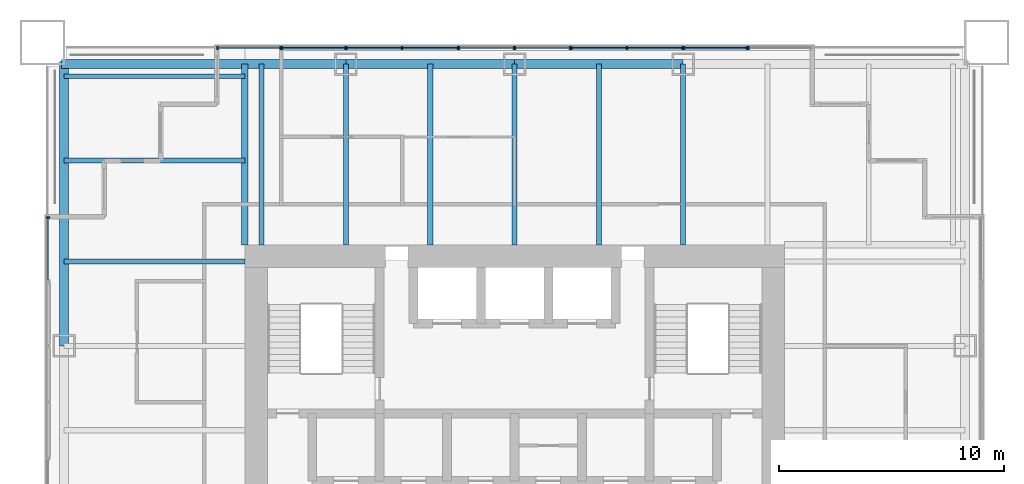
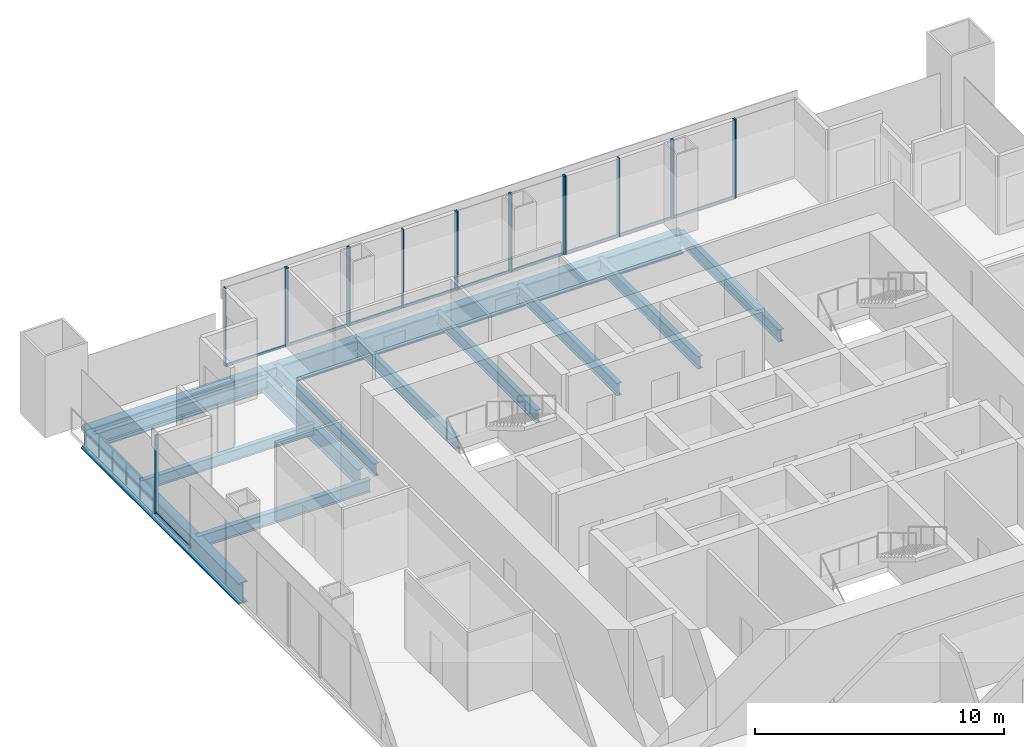
# One storey, part 6 of 14: 28 members, 14 beams, 9 elements without a shape of their own.
"""IFC4 building model written with IfcOpenShell, lengths in metres."""

from ifc_helpers import new_model, si_unit, direction, frame, origin, origin_2d, place, context, subcontext, project, spatial, rectangle, i_section, extrude, material, material_profile, profile_set, type_object, element, aggregate, save


model = new_model("IFC4")

# Units and contexts
model_context = context("Model", 3, precision=1e-05, world=origin(), true_north=direction((0.0, 1.0)))
body_context = subcontext(model_context, "Body", "Model", "MODEL_VIEW")
ifc_project = project(units=[si_unit("LENGTHUNIT", "METRE"), si_unit("AREAUNIT", "SQUARE_METRE"), si_unit("VOLUMEUNIT", "CUBIC_METRE"), si_unit("PLANEANGLEUNIT", "RADIAN"), si_unit("MASSUNIT", "GRAM", prefix="KILO")], contexts=[model_context])

# Site, building, storey
site_placement = place(None, origin())
site = spatial("IfcSite", under=ifc_project, at=site_placement, CompositionType="ELEMENT")
building_placement = place(site_placement, origin())
building = spatial("IfcBuilding", under=site, at=building_placement, Name="Tarangal Relay Tower", CompositionType="ELEMENT")
storey_placement = place(building_placement, frame((0.0, 0.0, 271.89990234375)))
storey = spatial("IfcBuildingStorey", under=building, at=storey_placement, Name="L59", CompositionType="ELEMENT", Elevation=271.89990234375)

# Beams
ifc_material_1 = material(Name="Steel ASTM A992", Category="steel")
ifc_material_profile_1 = material_profile(ifc_material_1, i_section(OverallWidth=0.209228515625, OverallDepth=0.533447265625, WebThickness=0.01025390625, FlangeThickness=0.015625, at=origin_2d()), Name="W21X62")
ifc_profile_set_1 = profile_set([ifc_material_profile_1], Name="Steel ASTM A992")
beam_type_1 = type_object("IfcBeamType", Name="Corner beam W21X62", PredefinedType="JOIST", material=ifc_profile_set_1)
for number, where, z_axis, x_axis, name in (
    (1, (-12.0, 15.75, -0.41650390625), (-1.0, 0.0, 0.0), (0.0, -1.0, 0.0), "Corner beam CB12 W L59"),
    (2, (-12.0, 19.5, -0.41650390625), (-1.0, 0.0, 0.0), (0.0, -1.0, 0.0), "Corner beam CB12 W L59"),
):
    element("IfcBeam", number, at=place(storey_placement, frame(where, z_axis=z_axis, x_axis=x_axis)), inside=storey, type_object=beam_type_1, Name=name, PredefinedType="JOIST", context=body_context, shape_type="SweptSolid", body=[
        extrude(i_section(OverallWidth=0.209228515625, OverallDepth=0.533447265625, WebThickness=0.01025390625, FlangeThickness=0.015625, at=origin_2d()), origin(), (0.0, 0.0, 1.0), 8.0400390625),
    ])
ifc_material_profile_2 = material_profile(ifc_material_1, i_section(OverallWidth=0.2919921875, OverallDepth=0.8408203125, WebThickness=0.0146484375, FlangeThickness=0.021728515625, at=origin_2d()), Name="W33X130")
ifc_profile_set_2 = profile_set([ifc_material_profile_2], Name="Steel ASTM A992")
beam_type_2 = type_object("IfcBeamType", Name="Corner girder W33X130", PredefinedType="BEAM", material=ifc_profile_set_2)
beam_1_placement = place(storey_placement, frame((-12.0, 12.0, -0.5703125), z_axis=(0.0, 1.0, 0.0), x_axis=(-1.0, 0.0, 0.0)))
element("IfcBeam", 3, at=beam_1_placement, inside=storey, type_object=beam_type_2, Name="Corner girder CG5 W L59", PredefinedType="BEAM", context=body_context, shape_type="SweptSolid", body=[
    extrude(i_section(OverallWidth=0.2919921875, OverallDepth=0.8408203125, WebThickness=0.0146484375, FlangeThickness=0.021728515625, at=origin_2d()), origin(), (0.0, 0.0, 1.0), 8.0400390625),
])
ifc_material_profile_3 = material_profile(ifc_material_1, i_section(OverallWidth=0.41162109375, OverallDepth=1.049072265625, WebThickness=0.033935546875, FlangeThickness=0.059814453125, at=origin_2d()), Name="W40X431")
ifc_profile_set_3 = profile_set([ifc_material_profile_3], Name="Steel ASTM A992")
beam_type_3 = type_object("IfcBeamType", Name="Edge girder W40X431", PredefinedType="SPANDREL", material=ifc_profile_set_3)
beam_2_placement = place(storey_placement, frame((-20.14990234375, 20.0400390625, -0.67431640625), z_axis=(1.0, 0.0, 0.0), x_axis=(0.0, 1.0, 0.0)))
element("IfcBeam", 4, at=beam_2_placement, inside=storey, type_object=beam_type_3, Name="Edge girder EG1 N L59", PredefinedType="SPANDREL", context=body_context, shape_type="SweptSolid", body=[
    extrude(i_section(OverallWidth=0.41162109375, OverallDepth=1.049072265625, WebThickness=0.033935546875, FlangeThickness=0.059814453125, at=origin_2d()), origin(), (0.0, 0.0, 1.0), 12.64990234375),
])
for number, where, z_axis, x_axis, name in (
    (5, (-7.5, 20.0400390625, -0.67431640625), (1.0, 0.0, 0.0), (0.0, 1.0, 0.0), "Edge girder EG1 N L59"),
    (6, (0.0, 20.0400390625, -0.67431640625), (1.0, 0.0, 0.0), (0.0, 1.0, 0.0), "Edge girder EG1 N L59"),
):
    element("IfcBeam", number, at=place(storey_placement, frame(where, z_axis=z_axis, x_axis=x_axis)), inside=storey, type_object=beam_type_3, Name=name, PredefinedType="SPANDREL", context=body_context, shape_type="SweptSolid", body=[
        extrude(i_section(OverallWidth=0.41162109375, OverallDepth=1.049072265625, WebThickness=0.033935546875, FlangeThickness=0.059814453125, at=origin_2d()), origin(), (0.0, 0.0, 1.0), 7.5),
    ])
beam_3_placement = place(storey_placement, frame((-20.0400390625, 7.5, -0.67431640625), z_axis=(0.0, 1.0, 0.0), x_axis=(-1.0, 0.0, 0.0)))
element("IfcBeam", 7, at=beam_3_placement, inside=storey, type_object=beam_type_3, Name="Edge girder EG1 W L59", PredefinedType="SPANDREL", context=body_context, shape_type="SweptSolid", body=[
    extrude(i_section(OverallWidth=0.41162109375, OverallDepth=1.049072265625, WebThickness=0.033935546875, FlangeThickness=0.059814453125, at=origin_2d()), origin(), (0.0, 0.0, 1.0), 12.64990234375),
])
ifc_material_profile_4 = material_profile(ifc_material_1, i_section(OverallWidth=0.228271484375, OverallDepth=0.607177734375, WebThickness=0.01123046875, FlangeThickness=0.017333984375, at=origin_2d()), Name="W24X76")
ifc_profile_set_4 = profile_set([ifc_material_profile_4], Name="Steel ASTM A992")
beam_type_4 = type_object("IfcBeamType", Name="Floor beam W24X76", PredefinedType="BEAM", material=ifc_profile_set_4)
for number, where, z_axis, x_axis, name in (
    (8, (-11.25, 12.0, -0.453369140625), (0.0, 1.0, 0.0), (-1.0, 0.0, 0.0), "Floor beam RB5 N L59"),
    (9, (-7.5, 12.0, -0.453369140625), (0.0, 1.0, 0.0), (-1.0, 0.0, 0.0), "Floor beam RB5 N L59"),
    (10, (-3.75, 12.0, -0.453369140625), (0.0, 1.0, 0.0), (-1.0, 0.0, 0.0), "Floor beam RB5 N L59"),
    (11, (0.0, 12.0, -0.453369140625), (0.0, 1.0, 0.0), (-1.0, 0.0, 0.0), "Floor beam RB5 N L59"),
    (12, (3.75, 12.0, -0.453369140625), (0.0, 1.0, 0.0), (-1.0, 0.0, 0.0), "Floor beam RB5 N L59"),
    (13, (7.5, 12.0, -0.453369140625), (0.0, 1.0, 0.0), (-1.0, 0.0, 0.0), "Floor beam RB5 N L59"),
    (14, (-12.0, 11.25, -0.453369140625), (-1.0, 0.0, 0.0), (0.0, -1.0, 0.0), "Floor beam RB5 W L59"),
):
    element("IfcBeam", number, at=place(storey_placement, frame(where, z_axis=z_axis, x_axis=x_axis)), inside=storey, type_object=beam_type_4, Name=name, PredefinedType="BEAM", context=body_context, shape_type="SweptSolid", body=[
        extrude(i_section(OverallWidth=0.228271484375, OverallDepth=0.607177734375, WebThickness=0.01123046875, FlangeThickness=0.017333984375, at=origin_2d()), origin(), (0.0, 0.0, 1.0), 8.0400390625),
    ])

# Curtain wall, members
ifc_material_2 = material(Name="Unitised curtain wall, dark glass and black aluminium", Category="aluminium")
curtain_wall_type_1 = type_object("IfcCurtainWallType", Name="Curtain wall CW-B", PredefinedType="USERDEFINED", material=ifc_material_2)
curtain_wall_1_placement = place(storey_placement, origin())
curtain_wall_1 = element("IfcCurtainWall", 15, at=curtain_wall_1_placement, inside=storey, type_object=curtain_wall_type_1, Name="Curtain wall CW-B N facade L59", ObjectType="UNITISED CURTAIN WALL", PredefinedType="USERDEFINED")
ifc_material_3 = material(Name="Black anodised aluminium mullion", Category="aluminium")
ifc_material_profile_5 = material_profile(ifc_material_3, rectangle(XDim=0.159912109375, YDim=0.06005859375, at=origin_2d()), Name="CW-BM 60X160")
ifc_profile_set_5 = profile_set([ifc_material_profile_5], Name="Black anodised aluminium mullion")
member_type_1 = type_object("IfcMemberType", Name="Mullion CW-B 60 x 160", PredefinedType="MULLION", material=ifc_profile_set_5)
member_1_placement = place(storey_placement, frame((-13.219970703125, 20.75, 0.0), z_axis=(0.0, 0.0, 1.0), x_axis=(0.0, 1.0, 0.0)))
member_1 = element("IfcMember", 16, at=member_1_placement, type_object=member_type_1, Name="CW-B mullion 1", PredefinedType="MULLION", context=body_context, shape_type="SweptSolid", body=[
    extrude(rectangle(XDim=0.159912109375, YDim=0.06005859375, at=origin_2d()), origin(), (0.0, 0.0, 1.0), 3.85009765625),
])
member_2_placement = place(storey_placement, frame((-10.405029296875, 20.75, 0.0), z_axis=(0.0, 0.0, 1.0), x_axis=(0.0, 1.0, 0.0)))
member_2 = element("IfcMember", 17, at=member_2_placement, type_object=member_type_1, Name="CW-B mullion 2", PredefinedType="MULLION", context=body_context, shape_type="SweptSolid", body=[
    extrude(rectangle(XDim=0.159912109375, YDim=0.06005859375, at=origin_2d()), origin(), (0.0, 0.0, 1.0), 3.85009765625),
])

curtain_wall_2_placement = place(storey_placement, origin())
curtain_wall_2 = element("IfcCurtainWall", 18, at=curtain_wall_2_placement, inside=storey, type_object=curtain_wall_type_1, Name="Curtain wall CW-B N facade L59", ObjectType="UNITISED CURTAIN WALL", PredefinedType="USERDEFINED")
member_3_placement = place(storey_placement, frame((-2.469970703125, 20.75, 0.0), z_axis=(0.0, 0.0, 1.0), x_axis=(0.0, 1.0, 0.0)))
member_3 = element("IfcMember", 19, at=member_3_placement, type_object=member_type_1, Name="CW-B mullion 1", PredefinedType="MULLION", context=body_context, shape_type="SweptSolid", body=[
    extrude(rectangle(XDim=0.159912109375, YDim=0.06005859375, at=origin_2d()), origin(), (0.0, 0.0, 1.0), 3.85009765625),
])
member_4_placement = place(storey_placement, frame((-0.030029296875, 20.75, 0.0), z_axis=(0.0, 0.0, 1.0), x_axis=(0.0, 1.0, 0.0)))
member_4 = element("IfcMember", 20, at=member_4_placement, type_object=member_type_1, Name="CW-B mullion 2", PredefinedType="MULLION", context=body_context, shape_type="SweptSolid", body=[
    extrude(rectangle(XDim=0.159912109375, YDim=0.06005859375, at=origin_2d()), origin(), (0.0, 0.0, 1.0), 3.85009765625),
])

curtain_wall_3_placement = place(storey_placement, origin())
curtain_wall_3 = element("IfcCurtainWall", 21, at=curtain_wall_3_placement, inside=storey, type_object=curtain_wall_type_1, Name="Curtain wall CW-B N facade L59", ObjectType="UNITISED CURTAIN WALL", PredefinedType="USERDEFINED")
member_5_placement = place(storey_placement, frame((0.030029296875, 20.75, 0.0), z_axis=(0.0, 0.0, 1.0), x_axis=(0.0, 1.0, 0.0)))
member_5 = element("IfcMember", 22, at=member_5_placement, type_object=member_type_1, Name="CW-B mullion 1", PredefinedType="MULLION", context=body_context, shape_type="SweptSolid", body=[
    extrude(rectangle(XDim=0.159912109375, YDim=0.06005859375, at=origin_2d()), origin(), (0.0, 0.0, 1.0), 3.85009765625),
])
member_6_placement = place(storey_placement, frame((2.469970703125, 20.75, 0.0), z_axis=(0.0, 0.0, 1.0), x_axis=(0.0, 1.0, 0.0)))
member_6 = element("IfcMember", 23, at=member_6_placement, type_object=member_type_1, Name="CW-B mullion 2", PredefinedType="MULLION", context=body_context, shape_type="SweptSolid", body=[
    extrude(rectangle(XDim=0.159912109375, YDim=0.06005859375, at=origin_2d()), origin(), (0.0, 0.0, 1.0), 3.85009765625),
])

# Curtain wall, member
curtain_wall_4_placement = place(storey_placement, origin())
curtain_wall_4 = element("IfcCurtainWall", 24, at=curtain_wall_4_placement, inside=storey, type_object=curtain_wall_type_1, Name="Curtain wall CW-B N facade L59", ObjectType="UNITISED CURTAIN WALL", PredefinedType="USERDEFINED")
member_7_placement = place(storey_placement, frame((10.405029296875, 20.75, 0.0), z_axis=(0.0, 0.0, 1.0), x_axis=(0.0, 1.0, 0.0)))
member_7 = element("IfcMember", 25, at=member_7_placement, type_object=member_type_1, Name="CW-B mullion 1", PredefinedType="MULLION", context=body_context, shape_type="SweptSolid", body=[
    extrude(rectangle(XDim=0.159912109375, YDim=0.06005859375, at=origin_2d()), origin(), (0.0, 0.0, 1.0), 3.85009765625),
])
aggregate(curtain_wall_4, [member_7])

curtain_wall_5_placement = place(storey_placement, origin())
curtain_wall_5 = element("IfcCurtainWall", 26, at=curtain_wall_5_placement, inside=storey, type_object=curtain_wall_type_1, Name="Curtain wall CW-B W facade L59", ObjectType="UNITISED CURTAIN WALL", PredefinedType="USERDEFINED")
member_8_placement = place(storey_placement, frame((-20.75, 13.219970703125, 0.0), z_axis=(0.0, 0.0, 1.0), x_axis=(-1.0, 0.0, 0.0)))
member_8 = element("IfcMember", 27, at=member_8_placement, type_object=member_type_1, Name="CW-B mullion 2", PredefinedType="MULLION", context=body_context, shape_type="SweptSolid", body=[
    extrude(rectangle(XDim=0.159912109375, YDim=0.06005859375, at=origin_2d()), origin(), (0.0, 0.0, 1.0), 3.85009765625),
])

# Curtain wall, members
ifc_material_4 = material(Name="Unitised curtain wall frame, black aluminium, with metal clad infill walls", Category="aluminium")
curtain_wall_type_2 = type_object("IfcCurtainWallType", Name="Curtain wall CW-BO", PredefinedType="USERDEFINED", material=ifc_material_4)
curtain_wall_6_placement = place(storey_placement, origin())
curtain_wall_6 = element("IfcCurtainWall", 28, at=curtain_wall_6_placement, inside=storey, type_object=curtain_wall_type_2, Name="Curtain wall CW-BO N facade L59", ObjectType="UNITISED CURTAIN WALL", PredefinedType="USERDEFINED")
ifc_material_profile_6 = material_profile(ifc_material_3, rectangle(XDim=0.159912109375, YDim=0.06005859375, at=origin_2d()), Name="CW-BOM 60X160")
ifc_profile_set_6 = profile_set([ifc_material_profile_6], Name="Black anodised aluminium mullion")
member_type_2 = type_object("IfcMemberType", Name="Mullion CW-BO 60 x 160", PredefinedType="MULLION", material=ifc_profile_set_6)
member_9_placement = place(storey_placement, frame((-10.344970703125, 20.75, 0.0), z_axis=(0.0, 0.0, 1.0), x_axis=(0.0, 1.0, 0.0)))
member_9 = element("IfcMember", 29, at=member_9_placement, type_object=member_type_2, Name="CW-BO mullion 1", PredefinedType="MULLION", context=body_context, shape_type="SweptSolid", body=[
    extrude(rectangle(XDim=0.159912109375, YDim=0.06005859375, at=origin_2d()), origin(), (0.0, 0.0, 1.0), 3.85009765625),
])
member_10_placement = place(storey_placement, frame((-7.530029296875, 20.75, 0.0), z_axis=(0.0, 0.0, 1.0), x_axis=(0.0, 1.0, 0.0)))
member_10 = element("IfcMember", 30, at=member_10_placement, type_object=member_type_2, Name="CW-BO mullion 2", PredefinedType="MULLION", context=body_context, shape_type="SweptSolid", body=[
    extrude(rectangle(XDim=0.159912109375, YDim=0.06005859375, at=origin_2d()), origin(), (0.0, 0.0, 1.0), 3.85009765625),
])

curtain_wall_7_placement = place(storey_placement, origin())
curtain_wall_7 = element("IfcCurtainWall", 31, at=curtain_wall_7_placement, inside=storey, type_object=curtain_wall_type_2, Name="Curtain wall CW-BO N facade L59", ObjectType="UNITISED CURTAIN WALL", PredefinedType="USERDEFINED")
member_11_placement = place(storey_placement, frame((-7.469970703125, 20.75, 0.0), z_axis=(0.0, 0.0, 1.0), x_axis=(0.0, 1.0, 0.0)))
member_11 = element("IfcMember", 32, at=member_11_placement, type_object=member_type_2, Name="CW-BO mullion 1", PredefinedType="MULLION", context=body_context, shape_type="SweptSolid", body=[
    extrude(rectangle(XDim=0.159912109375, YDim=0.06005859375, at=origin_2d()), origin(), (0.0, 0.0, 1.0), 3.85009765625),
])
member_12_placement = place(storey_placement, frame((-5.0, 20.75, 0.0), z_axis=(0.0, 0.0, 1.0), x_axis=(0.0, 1.0, 0.0)))
member_12 = element("IfcMember", 33, at=member_12_placement, type_object=member_type_2, Name="CW-BO mullion 2", PredefinedType="MULLION", context=body_context, shape_type="SweptSolid", body=[
    extrude(rectangle(XDim=0.159912109375, YDim=0.06005859375, at=origin_2d()), origin(), (0.0, 0.0, 1.0), 3.85009765625),
])
member_13_placement = place(storey_placement, frame((-2.530029296875, 20.75, 0.0), z_axis=(0.0, 0.0, 1.0), x_axis=(0.0, 1.0, 0.0)))
member_13 = element("IfcMember", 34, at=member_13_placement, type_object=member_type_2, Name="CW-BO mullion 3", PredefinedType="MULLION", context=body_context, shape_type="SweptSolid", body=[
    extrude(rectangle(XDim=0.159912109375, YDim=0.06005859375, at=origin_2d()), origin(), (0.0, 0.0, 1.0), 3.85009765625),
])

curtain_wall_8_placement = place(storey_placement, origin())
curtain_wall_8 = element("IfcCurtainWall", 35, at=curtain_wall_8_placement, inside=storey, type_object=curtain_wall_type_2, Name="Curtain wall CW-BO N facade L59", ObjectType="UNITISED CURTAIN WALL", PredefinedType="USERDEFINED")
member_14_placement = place(storey_placement, frame((2.530029296875, 20.75, 0.0), z_axis=(0.0, 0.0, 1.0), x_axis=(0.0, 1.0, 0.0)))
member_14 = element("IfcMember", 36, at=member_14_placement, type_object=member_type_2, Name="CW-BO mullion 1", PredefinedType="MULLION", context=body_context, shape_type="SweptSolid", body=[
    extrude(rectangle(XDim=0.159912109375, YDim=0.06005859375, at=origin_2d()), origin(), (0.0, 0.0, 1.0), 3.85009765625),
])
member_15_placement = place(storey_placement, frame((5.0, 20.75, 0.0), z_axis=(0.0, 0.0, 1.0), x_axis=(0.0, 1.0, 0.0)))
member_15 = element("IfcMember", 37, at=member_15_placement, type_object=member_type_2, Name="CW-BO mullion 2", PredefinedType="MULLION", context=body_context, shape_type="SweptSolid", body=[
    extrude(rectangle(XDim=0.159912109375, YDim=0.06005859375, at=origin_2d()), origin(), (0.0, 0.0, 1.0), 3.85009765625),
])
member_16_placement = place(storey_placement, frame((7.469970703125, 20.75, 0.0), z_axis=(0.0, 0.0, 1.0), x_axis=(0.0, 1.0, 0.0)))
member_16 = element("IfcMember", 38, at=member_16_placement, type_object=member_type_2, Name="CW-BO mullion 3", PredefinedType="MULLION", context=body_context, shape_type="SweptSolid", body=[
    extrude(rectangle(XDim=0.159912109375, YDim=0.06005859375, at=origin_2d()), origin(), (0.0, 0.0, 1.0), 3.85009765625),
])

curtain_wall_9_placement = place(storey_placement, origin())
curtain_wall_9 = element("IfcCurtainWall", 39, at=curtain_wall_9_placement, inside=storey, type_object=curtain_wall_type_2, Name="Curtain wall CW-BO N facade L59", ObjectType="UNITISED CURTAIN WALL", PredefinedType="USERDEFINED")
member_17_placement = place(storey_placement, frame((7.530029296875, 20.75, 0.0), z_axis=(0.0, 0.0, 1.0), x_axis=(0.0, 1.0, 0.0)))
member_17 = element("IfcMember", 40, at=member_17_placement, type_object=member_type_2, Name="CW-BO mullion 1", PredefinedType="MULLION", context=body_context, shape_type="SweptSolid", body=[
    extrude(rectangle(XDim=0.159912109375, YDim=0.06005859375, at=origin_2d()), origin(), (0.0, 0.0, 1.0), 3.85009765625),
])
member_18_placement = place(storey_placement, frame((10.344970703125, 20.75, 0.0), z_axis=(0.0, 0.0, 1.0), x_axis=(0.0, 1.0, 0.0)))
member_18 = element("IfcMember", 41, at=member_18_placement, type_object=member_type_2, Name="CW-BO mullion 2", PredefinedType="MULLION", context=body_context, shape_type="SweptSolid", body=[
    extrude(rectangle(XDim=0.159912109375, YDim=0.06005859375, at=origin_2d()), origin(), (0.0, 0.0, 1.0), 3.85009765625),
])

# Member
ifc_material_5 = material(Name="Black anodised aluminium transom", Category="aluminium")
ifc_material_profile_7 = material_profile(ifc_material_5, rectangle(XDim=0.06005859375, YDim=0.1298828125, at=origin_2d()), Name="CW-BT 60X130")
ifc_profile_set_7 = profile_set([ifc_material_profile_7], Name="Black anodised aluminium transom")
member_type_3 = type_object("IfcMemberType", Name="Transom CW-B 60 x 130", PredefinedType="USERDEFINED", material=ifc_profile_set_7)
member_19_placement = place(storey_placement, frame((-13.18994140625, 20.75, 0.030029296875), z_axis=(1.0, 0.0, 0.0), x_axis=(0.0, 1.0, 0.0)))
member_19 = element("IfcMember", 42, at=member_19_placement, type_object=member_type_3, Name="CW-B transom 1.1", ObjectType="TRANSOM", PredefinedType="USERDEFINED", context=body_context, shape_type="SweptSolid", body=[
    extrude(rectangle(XDim=0.06005859375, YDim=0.1298828125, at=origin_2d()), origin(), (0.0, 0.0, 1.0), 2.7548828125),
])

aggregate(curtain_wall_1, [member_1, member_2, member_19])

member_20_placement = place(storey_placement, frame((-2.43994140625, 20.75, 0.030029296875), z_axis=(1.0, 0.0, 0.0), x_axis=(0.0, 1.0, 0.0)))
member_20 = element("IfcMember", 43, at=member_20_placement, type_object=member_type_3, Name="CW-B transom 1.1", ObjectType="TRANSOM", PredefinedType="USERDEFINED", context=body_context, shape_type="SweptSolid", body=[
    extrude(rectangle(XDim=0.06005859375, YDim=0.1298828125, at=origin_2d()), origin(), (0.0, 0.0, 1.0), 2.3798828125),
])

aggregate(curtain_wall_2, [member_3, member_4, member_20])

member_21_placement = place(storey_placement, frame((0.06005859375, 20.75, 0.030029296875), z_axis=(1.0, 0.0, 0.0), x_axis=(0.0, 1.0, 0.0)))
member_21 = element("IfcMember", 44, at=member_21_placement, type_object=member_type_3, Name="CW-B transom 1.1", ObjectType="TRANSOM", PredefinedType="USERDEFINED", context=body_context, shape_type="SweptSolid", body=[
    extrude(rectangle(XDim=0.06005859375, YDim=0.1298828125, at=origin_2d()), origin(), (0.0, 0.0, 1.0), 2.3798828125),
])

aggregate(curtain_wall_3, [member_5, member_6, member_21])

member_22_placement = place(storey_placement, frame((-20.75, 10.43505859375, 0.030029296875), z_axis=(0.0, 1.0, 0.0), x_axis=(-1.0, 0.0, 0.0)))
member_22 = element("IfcMember", 45, at=member_22_placement, type_object=member_type_3, Name="CW-B transom 1.1", ObjectType="TRANSOM", PredefinedType="USERDEFINED", context=body_context, shape_type="SweptSolid", body=[
    extrude(rectangle(XDim=0.06005859375, YDim=0.1298828125, at=origin_2d()), origin(), (0.0, 0.0, 1.0), 2.7548828125),
])

aggregate(curtain_wall_5, [member_8, member_22])

ifc_material_profile_8 = material_profile(ifc_material_5, rectangle(XDim=0.06005859375, YDim=0.1298828125, at=origin_2d()), Name="CW-BOT 60X130")
ifc_profile_set_8 = profile_set([ifc_material_profile_8], Name="Black anodised aluminium transom")
member_type_4 = type_object("IfcMemberType", Name="Transom CW-BO 60 x 130", PredefinedType="USERDEFINED", material=ifc_profile_set_8)
member_23_placement = place(storey_placement, frame((-10.31494140625, 20.75, 0.030029296875), z_axis=(1.0, 0.0, 0.0), x_axis=(0.0, 1.0, 0.0)))
member_23 = element("IfcMember", 46, at=member_23_placement, type_object=member_type_4, Name="CW-BO transom 1.1", ObjectType="TRANSOM", PredefinedType="USERDEFINED", context=body_context, shape_type="SweptSolid", body=[
    extrude(rectangle(XDim=0.06005859375, YDim=0.1298828125, at=origin_2d()), origin(), (0.0, 0.0, 1.0), 2.7548828125),
])

aggregate(curtain_wall_6, [member_9, member_10, member_23])

member_24_placement = place(storey_placement, frame((-7.43994140625, 20.75, 0.030029296875), z_axis=(1.0, 0.0, 0.0), x_axis=(0.0, 1.0, 0.0)))
member_24 = element("IfcMember", 47, at=member_24_placement, type_object=member_type_4, Name="CW-BO transom 1.1", ObjectType="TRANSOM", PredefinedType="USERDEFINED", context=body_context, shape_type="SweptSolid", body=[
    extrude(rectangle(XDim=0.06005859375, YDim=0.1298828125, at=origin_2d()), origin(), (0.0, 0.0, 1.0), 2.409912109375),
])

member_25_placement = place(storey_placement, frame((-4.969970703125, 20.75, 0.030029296875), z_axis=(1.0, 0.0, 0.0), x_axis=(0.0, 1.0, 0.0)))
member_25 = element("IfcMember", 48, at=member_25_placement, type_object=member_type_4, Name="CW-BO transom 2.1", ObjectType="TRANSOM", PredefinedType="USERDEFINED", context=body_context, shape_type="SweptSolid", body=[
    extrude(rectangle(XDim=0.06005859375, YDim=0.1298828125, at=origin_2d()), origin(), (0.0, 0.0, 1.0), 2.409912109375),
])

aggregate(curtain_wall_7, [member_11, member_12, member_13, member_24, member_25])

member_26_placement = place(storey_placement, frame((2.56005859375, 20.75, 0.030029296875), z_axis=(1.0, 0.0, 0.0), x_axis=(0.0, 1.0, 0.0)))
member_26 = element("IfcMember", 49, at=member_26_placement, type_object=member_type_4, Name="CW-BO transom 1.1", ObjectType="TRANSOM", PredefinedType="USERDEFINED", context=body_context, shape_type="SweptSolid", body=[
    extrude(rectangle(XDim=0.06005859375, YDim=0.1298828125, at=origin_2d()), origin(), (0.0, 0.0, 1.0), 2.409912109375),
])

member_27_placement = place(storey_placement, frame((5.030029296875, 20.75, 0.030029296875), z_axis=(1.0, 0.0, 0.0), x_axis=(0.0, 1.0, 0.0)))
member_27 = element("IfcMember", 50, at=member_27_placement, type_object=member_type_4, Name="CW-BO transom 2.1", ObjectType="TRANSOM", PredefinedType="USERDEFINED", context=body_context, shape_type="SweptSolid", body=[
    extrude(rectangle(XDim=0.06005859375, YDim=0.1298828125, at=origin_2d()), origin(), (0.0, 0.0, 1.0), 2.409912109375),
])

aggregate(curtain_wall_8, [member_14, member_15, member_16, member_26, member_27])

member_28_placement = place(storey_placement, frame((7.56005859375, 20.75, 0.030029296875), z_axis=(1.0, 0.0, 0.0), x_axis=(0.0, 1.0, 0.0)))
member_28 = element("IfcMember", 51, at=member_28_placement, type_object=member_type_4, Name="CW-BO transom 1.1", ObjectType="TRANSOM", PredefinedType="USERDEFINED", context=body_context, shape_type="SweptSolid", body=[
    extrude(rectangle(XDim=0.06005859375, YDim=0.1298828125, at=origin_2d()), origin(), (0.0, 0.0, 1.0), 2.7548828125),
])

aggregate(curtain_wall_9, [member_17, member_18, member_28])

save(model, "model.ifc")
